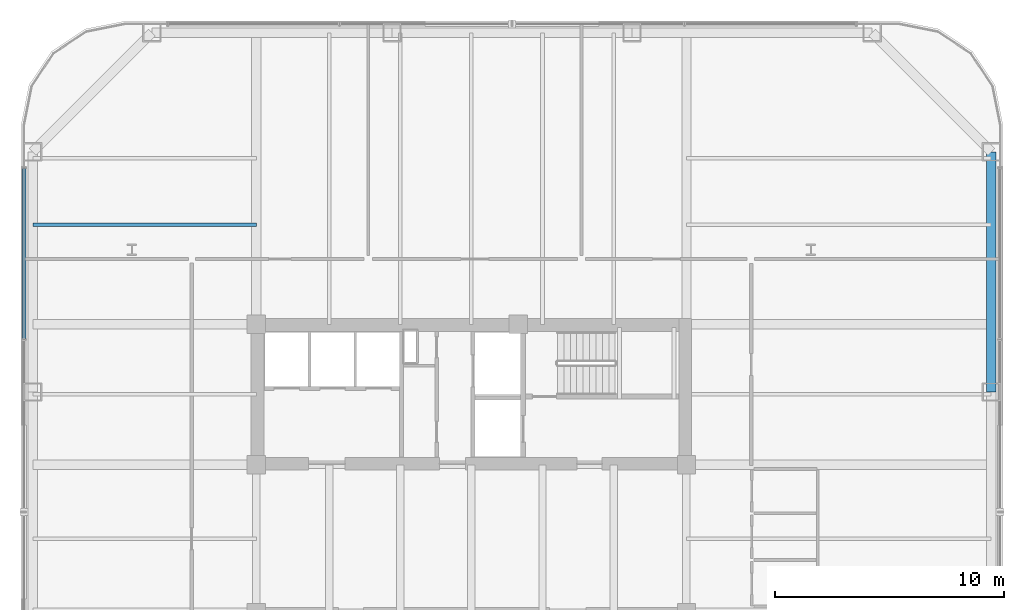
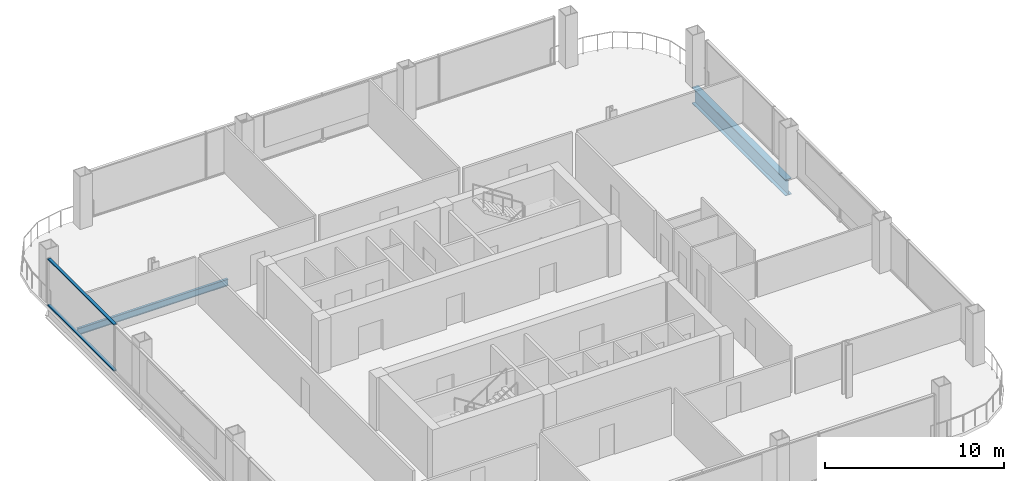
# One storey, part 13 of 24: 2 beams, 2 members, 1 element without a shape of its own.
"""IFC4 building model written with IfcOpenShell, lengths in metres."""

from ifc_helpers import new_model, si_unit, direction, frame, origin, origin_2d, place, context, subcontext, project, spatial, hollow_rectangle, i_section, extrude, material, layer, layer_set, material_profile, profile_set, type_object, element, aggregate, save


model = new_model("IFC4")

# Units and contexts
model_context = context("Model", 3, precision=1e-05, world=origin(), true_north=direction((0.0, 1.0)))
body_context = subcontext(model_context, "Body", "Model", "MODEL_VIEW")
ifc_project = project(units=[si_unit("LENGTHUNIT", "METRE"), si_unit("AREAUNIT", "SQUARE_METRE"), si_unit("VOLUMEUNIT", "CUBIC_METRE"), si_unit("PLANEANGLEUNIT", "RADIAN"), si_unit("MASSUNIT", "GRAM", prefix="KILO")], contexts=[model_context])

# Site, building, storey
site_placement = place(None, origin())
site = spatial("IfcSite", under=ifc_project, at=site_placement, CompositionType="ELEMENT")
building_placement = place(site_placement, origin())
building = spatial("IfcBuilding", under=site, at=building_placement, Name="Qhalaya Broadcast Tower", CompositionType="ELEMENT")
storey_placement = place(building_placement, frame((0.0, 0.0, 61.5)))
storey = spatial("IfcBuildingStorey", under=building, at=storey_placement, Name="L17", CompositionType="ELEMENT", Elevation=61.5)

# Beams
ifc_material_1 = material(Name="Structural Steel ASTM A992 Grade 50", Category="steel")
ifc_material_profile_1 = material_profile(ifc_material_1, i_section(OverallWidth=0.154052734375, OverallDepth=0.458984375, WebThickness=0.009033203125, FlangeThickness=0.015380859375, at=origin_2d()), Name="W18X46")
ifc_profile_set_1 = profile_set([ifc_material_profile_1], Name="Structural Steel ASTM A992 Grade 50")
beam_type_1 = type_object("IfcBeamType", Name="Composite Floor Joist J04", PredefinedType="JOIST", material=ifc_profile_set_1)
beam_1_placement = place(storey_placement, frame((-19.110107421875, 14.300048828125, -0.449462890625), z_axis=(1.0, 0.0, 0.0), x_axis=(0.0, 1.0, 0.0)))
element("IfcBeam", 1, at=beam_1_placement, inside=storey, type_object=beam_type_1, Name="L17 J04 L17-JWE6W-1", PredefinedType="JOIST", context=body_context, shape_type="SweptSolid", body=[
    extrude(i_section(OverallWidth=0.154052734375, OverallDepth=0.458984375, WebThickness=0.009033203125, FlangeThickness=0.015380859375, at=origin_2d()), origin(), (0.0, 0.0, 1.0), 9.735107421875),
])
ifc_material_profile_2 = material_profile(ifc_material_1, i_section(OverallWidth=0.404052734375, OverallDepth=1.117919921875, WebThickness=0.026123046875, FlangeThickness=0.044921875, at=origin_2d()), Name="W44X335")
ifc_profile_set_2 = profile_set([ifc_material_profile_2], Name="Structural Steel ASTM A992 Grade 50")
beam_type_2 = type_object("IfcBeamType", Name="Podium Long-Span Primary Girder PG1", PredefinedType="USERDEFINED", material=ifc_profile_set_2)
beam_2_placement = place(storey_placement, frame((22.669921875, 7.00341796875, -0.779052734375), z_axis=(0.0, 1.0, 0.0), x_axis=(-1.0, 0.0, 0.0)))
element("IfcBeam", 2, at=beam_2_placement, inside=storey, type_object=beam_type_2, Name="L17 PG1 L17-SPR-07", ObjectType="GIRDER", PredefinedType="USERDEFINED", context=body_context, shape_type="SweptSolid", body=[
    extrude(i_section(OverallWidth=0.404052734375, OverallDepth=1.117919921875, WebThickness=0.026123046875, FlangeThickness=0.044921875, at=origin_2d()), origin(), (0.0, 0.0, 1.0), 10.466552734375),
])

# Curtain wall, members
ifc_material_2 = material(Name="Solar-Control Low-E Triple Glazing", Category="glass")
ifc_layer = layer(ifc_material_2, 0.219970703125, Name="Solar-Control Low-E Triple Glazing")
ifc_layer_set = layer_set([ifc_layer], Name="Solar-Control Low-E Triple Glazing")
curtain_wall_type = type_object("IfcCurtainWallType", Name="Recessed Sky-Garden Neck Ribbon Curtain Wall CW-05", PredefinedType="NOTDEFINED", material=ifc_layer_set)
curtain_wall_placement = place(storey_placement, origin())
curtain_wall = element("IfcCurtainWall", 3, at=curtain_wall_placement, inside=storey, type_object=curtain_wall_type, Name="L17 Unitised Curtain Wall L17-CW-W", PredefinedType="NOTDEFINED")
ifc_material_3 = material(Name="Anodised Aluminium 6063-T6", Category="aluminium")
ifc_material_profile_3 = material_profile(ifc_material_3, hollow_rectangle(XDim=0.074951171875, YDim=0.179931640625, WallThickness=0.00390625, at=origin_2d()), Name="ALU-TRN 75x180x4")
ifc_profile_set_3 = profile_set([ifc_material_profile_3], Name="Anodised Aluminium 6063-T6")
member_type = type_object("IfcMemberType", Name="Unitised Curtain-Wall Transom T01", PredefinedType="USERDEFINED", material=ifc_profile_set_3)
member_1_placement = place(storey_placement, frame((-19.510009765625, 16.7451171875, 0.03759765625), z_axis=(0.0, -1.0, 0.0), x_axis=(0.0, 0.0, 1.0)))
member_1 = element("IfcMember", 4, at=member_1_placement, type_object=member_type, Name="CW-05 transom 1.1", ObjectType="TRANSOM", PredefinedType="USERDEFINED", context=body_context, shape_type="SweptSolid", body=[
    extrude(hollow_rectangle(XDim=0.074951171875, YDim=0.179931640625, WallThickness=0.00390625, at=origin_2d()), origin(), (0.0, 0.0, 1.0), 7.41259765625),
])
member_2_placement = place(storey_placement, frame((-19.510009765625, 16.7451171875, 3.1826171875), z_axis=(0.0, -1.0, 0.0), x_axis=(0.0, 0.0, 1.0)))
member_2 = element("IfcMember", 5, at=member_2_placement, type_object=member_type, Name="CW-05 transom 1.2", ObjectType="TRANSOM", PredefinedType="USERDEFINED", context=body_context, shape_type="SweptSolid", body=[
    extrude(hollow_rectangle(XDim=0.074951171875, YDim=0.179931640625, WallThickness=0.00390625, at=origin_2d()), origin(), (0.0, 0.0, 1.0), 7.41259765625),
])
aggregate(curtain_wall, [member_1, member_2])

save(model, "model.ifc")
